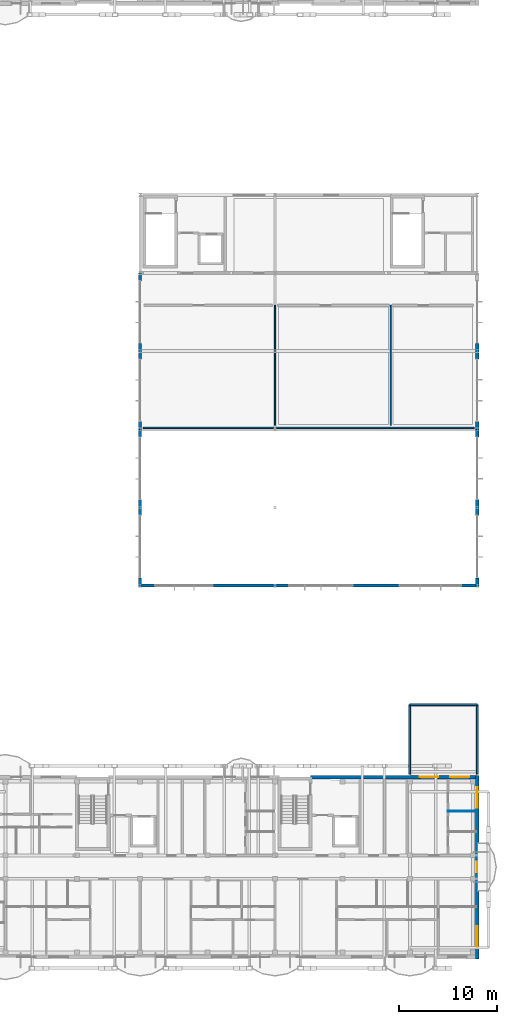
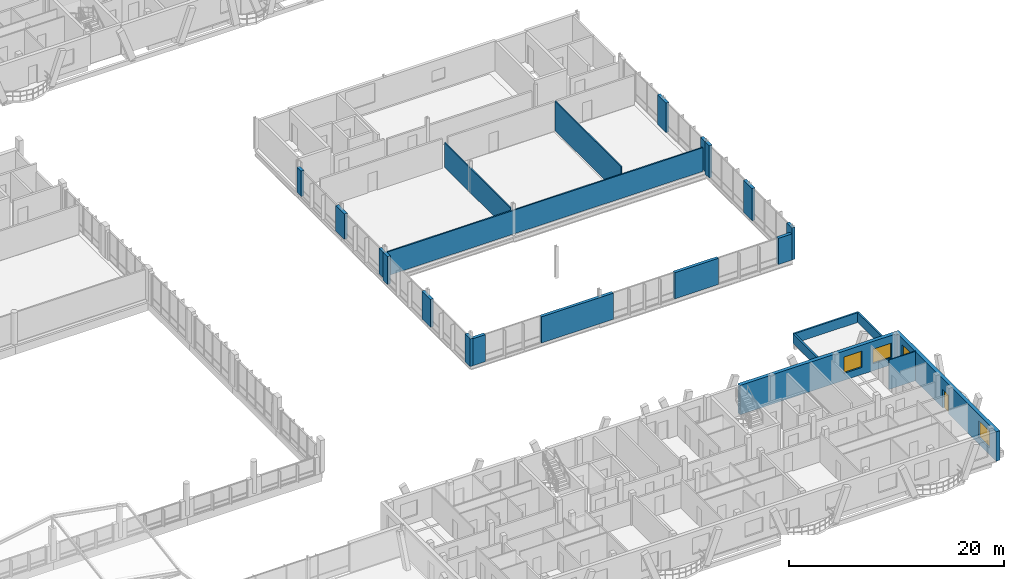
# One storey, part 162 of 189: 24 walls, 4 windows, 1 door, 5 openings.
"""IFC4 building model written with IfcOpenShell, lengths in metres."""

from ifc_helpers import new_model, si_unit, direction, frame, frame_2d, origin, origin_with_axes, place, context, subcontext, project, spatial, rectangle, extrude, material, layer, layer_set, type_object, element, fill, save


model = new_model("IFC4")

# Units and contexts
model_context = context("Model", 3, precision=1e-05, world=origin(), true_north=direction((0.0, 1.0)))
body_context = subcontext(model_context, "Body", "Model", "MODEL_VIEW")
ifc_project = project(units=[si_unit("LENGTHUNIT", "METRE"), si_unit("AREAUNIT", "SQUARE_METRE"), si_unit("VOLUMEUNIT", "CUBIC_METRE"), si_unit("PLANEANGLEUNIT", "RADIAN"), si_unit("MASSUNIT", "GRAM", prefix="KILO")], contexts=[model_context])

# Site, building, storey
site_placement = place(None, origin())
site = spatial("IfcSite", under=ifc_project, at=site_placement, CompositionType="ELEMENT")
building_placement = place(site_placement, origin())
building = spatial("IfcBuilding", under=site, at=building_placement, Name="Zavelmont Quarter", CompositionType="ELEMENT")
storey_placement = place(building_placement, frame((0.0, 0.0, 4.39990234375)))
storey = spatial("IfcBuildingStorey", under=building, at=storey_placement, Name="L01", CompositionType="ELEMENT", Elevation=4.39990234375)

# Wall, openings, windows
ifc_material_1 = material(Name="Natural Belgian limestone", Category="masonry")
ifc_layer_1 = layer(ifc_material_1, 0.3798828125)
ifc_layer_set_1 = layer_set([ifc_layer_1], Name="Natural Belgian limestone")
wall_type_1 = type_object("IfcWallType", Name="EW01", PredefinedType="STANDARD", material=ifc_layer_set_1)
wall_1_placement = place(storey_placement, frame((150.949951171875, 18.39990234375, 0.0), z_axis=(0.0, 0.0, 1.0), x_axis=(1.0, 0.0, 0.0)))
wall_1 = element("IfcWall", 1, at=wall_1_placement, inside=storey, type_object=wall_type_1, Name="L01 exterior limestone wall EW01", PredefinedType="STANDARD", context=body_context, shape_type="SweptSolid", body=[
    extrude(rectangle(XDim=16.8701171875, YDim=0.3798828125, at=frame_2d((8.43505859375, 0.0))), origin(), (0.0, 0.0, 1.0), 3.330078125),
])
opening_1_placement = place(wall_1_placement, frame((11.169921875, 0.0, 0.800048828125)))
opening_1 = element("IfcOpeningElement", 2, at=opening_1_placement, cuts=wall_1, Name="Opening WN20", PredefinedType="OPENING", context=body_context, shape_type="SweptSolid", body=[
    extrude(rectangle(XDim=1.89990234375, YDim=1.85009765625, at=frame_2d((0.949951171875, 0.925048828125))), frame((0.0, 0.201904296875, 0.0), z_axis=(0.0, -1.0, 0.0), x_axis=(1.0, 0.0, 0.0)), (0.0, 0.0, 1.0), 0.40380859375),
])
opening_2_placement = place(wall_1_placement, frame((14.284912109375, 0.0, 0.800048828125)))
opening_2 = element("IfcOpeningElement", 3, at=opening_2_placement, cuts=wall_1, Name="Opening WN24", PredefinedType="OPENING", context=body_context, shape_type="SweptSolid", body=[
    extrude(rectangle(XDim=1.949951171875, YDim=1.64990234375, at=frame_2d((0.97509765625, 0.824951171875))), frame((0.0, 0.201904296875, 0.0), z_axis=(0.0, -1.0, 0.0), x_axis=(1.0, 0.0, 0.0)), (0.0, 0.0, 1.0), 0.40380859375),
])
ifc_material_2 = material(Name="Double low-E insulated glazing in thermally broken aluminium frame", Category="aluminium")
window_type_1 = type_object("IfcWindowType", Name="WN20", PartitioningType="SINGLE_PANEL", PredefinedType="WINDOW", material=ifc_material_2)
window_1_placement = place(opening_1_placement, origin_with_axes())
window_1 = element("IfcWindow", 4, at=window_1_placement, inside=storey, type_object=window_type_1, Name="L01 window WN20", OverallHeight=1.85009765625, OverallWidth=1.89990234375, PartitioningType="SINGLE_PANEL", PredefinedType="WINDOW", context=body_context, shape_type="SweptSolid", body=[
    extrude(rectangle(XDim=1.89990234375, YDim=1.85009765625, at=frame_2d((0.949951171875, 0.925048828125))), frame((0.0, 0.030029296875, 0.0), z_axis=(0.0, -1.0, 0.0), x_axis=(1.0, 0.0, 0.0)), (0.0, 0.0, 1.0), 0.06005859375),
])
fill(opening_1, window_1)
window_type_2 = type_object("IfcWindowType", Name="WN24", PartitioningType="SINGLE_PANEL", PredefinedType="WINDOW", material=ifc_material_2)
window_2_placement = place(opening_2_placement, origin_with_axes())
window_2 = element("IfcWindow", 5, at=window_2_placement, inside=storey, type_object=window_type_2, Name="L01 window WN24", OverallHeight=1.64990234375, OverallWidth=1.949951171875, PartitioningType="SINGLE_PANEL", PredefinedType="WINDOW", context=body_context, shape_type="SweptSolid", body=[
    extrude(rectangle(XDim=1.949951171875, YDim=1.64990234375, at=frame_2d((0.97509765625, 0.824951171875))), frame((0.0, 0.030029296875, 0.0), z_axis=(0.0, -1.0, 0.0), x_axis=(1.0, 0.0, 0.0)), (0.0, 0.0, 1.0), 0.06005859375),
])
fill(opening_2, window_2)

# Wall, openings, door, windows
wall_2_placement = place(storey_placement, frame((168.0, -0.18994140625, 0.0), z_axis=(0.0, 0.0, 1.0), x_axis=(0.0, 1.0, 0.0)))
wall_2 = element("IfcWall", 6, at=wall_2_placement, inside=storey, type_object=wall_type_1, Name="L01 exterior limestone wall EW01", PredefinedType="STANDARD", context=body_context, shape_type="SweptSolid", body=[
    extrude(rectangle(XDim=18.780029296875, YDim=0.3798828125, at=frame_2d((9.39013671875, 0.0))), origin(), (0.0, 0.0, 1.0), 3.330078125),
])
opening_3_placement = place(wall_2_placement, frame((8.840087890625, 0.0, 0.0)))
opening_3 = element("IfcOpeningElement", 7, at=opening_3_placement, cuts=wall_2, Name="Opening DR04B", PredefinedType="OPENING", context=body_context, shape_type="SweptSolid", body=[
    extrude(rectangle(XDim=1.10009765625, YDim=2.10009765625, at=frame_2d((0.550048828125, 1.050048828125))), frame((0.0, 0.201904296875, 0.0), z_axis=(0.0, -1.0, 0.0), x_axis=(1.0, 0.0, 0.0)), (0.0, 0.0, 1.0), 0.40380859375),
])
opening_4_placement = place(wall_2_placement, frame((1.239990234375, 0.0, 0.719970703125)))
opening_4 = element("IfcOpeningElement", 8, at=opening_4_placement, cuts=wall_2, Name="Opening WN05", PredefinedType="OPENING", context=body_context, shape_type="SweptSolid", body=[
    extrude(rectangle(XDim=2.10009765625, YDim=1.89990234375, at=frame_2d((1.050048828125, 0.949951171875))), frame((0.0, 0.201904296875, 0.0), z_axis=(0.0, -1.0, 0.0), x_axis=(1.0, 0.0, 0.0)), (0.0, 0.0, 1.0), 0.40380859375),
])
opening_5_placement = place(wall_2_placement, frame((15.43994140625, 0.0, 0.719970703125)))
opening_5 = element("IfcOpeningElement", 9, at=opening_5_placement, cuts=wall_2, Name="Opening WN05", PredefinedType="OPENING", context=body_context, shape_type="SweptSolid", body=[
    extrude(rectangle(XDim=2.10009765625, YDim=1.89990234375, at=frame_2d((1.050048828125, 0.949951171875))), frame((0.0, 0.201904296875, 0.0), z_axis=(0.0, -1.0, 0.0), x_axis=(1.0, 0.0, 0.0)), (0.0, 0.0, 1.0), 0.40380859375),
])
ifc_material_3 = material(Name="Thermally broken aluminium and double safety glass", Category="aluminium")
door_type = type_object("IfcDoorType", Name="DR04B", OperationType="NOTDEFINED", PredefinedType="DOOR", material=ifc_material_3)
door_placement = place(opening_3_placement, origin_with_axes())
door = element("IfcDoor", 10, at=door_placement, inside=storey, type_object=door_type, Name="Block D L01 terrace or vase balcony door", OperationType="SINGLE_SWING_RIGHT", OverallHeight=2.10009765625, OverallWidth=1.10009765625, PredefinedType="DOOR", context=body_context, shape_type="SweptSolid", body=[
    extrude(rectangle(XDim=1.10009765625, YDim=2.10009765625, at=frame_2d((0.550048828125, 1.050048828125))), frame((0.0, 0.02490234375, 0.0), z_axis=(0.0, -1.0, 0.0), x_axis=(1.0, 0.0, 0.0)), (0.0, 0.0, 1.0), 0.050048828125),
])
fill(opening_3, door)
window_type_3 = type_object("IfcWindowType", Name="WN05", PartitioningType="SINGLE_PANEL", PredefinedType="WINDOW", material=ifc_material_2)
window_3_placement = place(opening_4_placement, origin_with_axes())
window_3 = element("IfcWindow", 11, at=window_3_placement, inside=storey, type_object=window_type_3, Name="L01 window WN05", OverallHeight=1.89990234375, OverallWidth=2.10009765625, PartitioningType="SINGLE_PANEL", PredefinedType="WINDOW", context=body_context, shape_type="SweptSolid", body=[
    extrude(rectangle(XDim=2.10009765625, YDim=1.89990234375, at=frame_2d((1.050048828125, 0.949951171875))), frame((0.0, 0.030029296875, 0.0), z_axis=(0.0, -1.0, 0.0), x_axis=(1.0, 0.0, 0.0)), (0.0, 0.0, 1.0), 0.06005859375),
])
fill(opening_4, window_3)
window_4_placement = place(opening_5_placement, origin_with_axes())
window_4 = element("IfcWindow", 12, at=window_4_placement, inside=storey, type_object=window_type_3, Name="L01 window WN05", OverallHeight=1.89990234375, OverallWidth=2.10009765625, PartitioningType="SINGLE_PANEL", PredefinedType="WINDOW", context=body_context, shape_type="SweptSolid", body=[
    extrude(rectangle(XDim=2.10009765625, YDim=1.89990234375, at=frame_2d((1.050048828125, 0.949951171875))), frame((0.0, 0.030029296875, 0.0), z_axis=(0.0, -1.0, 0.0), x_axis=(1.0, 0.0, 0.0)), (0.0, 0.0, 1.0), 0.06005859375),
])
fill(opening_5, window_4)

# Walls
ifc_layer_2 = layer(ifc_material_1, 0.320068359375)
ifc_layer_set_2 = layer_set([ifc_layer_2], Name="Natural Belgian limestone")
wall_type_2 = type_object("IfcWallType", Name="EW05", PredefinedType="STANDARD", material=ifc_layer_set_2)
wall_3_placement = place(storey_placement, frame((133.5, 37.840087890625, -0.27978515625), z_axis=(0.0, 0.0, 1.0), x_axis=(0.0, 1.0, 0.0)))
element("IfcWall", 13, at=wall_3_placement, inside=storey, type_object=wall_type_2, Name="L01 exterior limestone wall EW05", PredefinedType="STANDARD", context=body_context, shape_type="SweptSolid", body=[
    extrude(rectangle(XDim=0.9599609375, YDim=0.320068359375, at=frame_2d((0.47998046875, 0.0))), origin(), (0.0, 0.0, 1.0), 3.14990234375),
])
wall_4_placement = place(storey_placement, frame((133.5, 45.199951171875, -0.27978515625), z_axis=(0.0, 0.0, 1.0), x_axis=(0.0, 1.0, 0.0)))
element("IfcWall", 14, at=wall_4_placement, inside=storey, type_object=wall_type_2, Name="L01 exterior limestone wall EW05", PredefinedType="STANDARD", context=body_context, shape_type="SweptSolid", body=[
    extrude(rectangle(XDim=1.60009765625, YDim=0.320068359375, at=frame_2d((0.800048828125, 0.0))), origin(), (0.0, 0.0, 1.0), 3.14990234375),
])
wall_5_placement = place(storey_placement, frame((133.5, 53.199951171875, -0.27978515625), z_axis=(0.0, 0.0, 1.0), x_axis=(0.0, 1.0, 0.0)))
element("IfcWall", 15, at=wall_5_placement, inside=storey, type_object=wall_type_2, Name="L01 exterior limestone wall EW05", PredefinedType="STANDARD", context=body_context, shape_type="SweptSolid", body=[
    extrude(rectangle(XDim=0.800048828125, YDim=0.320068359375, at=frame_2d((0.39990234375, 0.0))), origin(), (0.0, 0.0, 1.0), 3.14990234375),
])
wall_6_placement = place(storey_placement, frame((133.5, 54.0, 0.0), z_axis=(0.0, 0.0, 1.0), x_axis=(0.0, 1.0, 0.0)))
element("IfcWall", 16, at=wall_6_placement, inside=storey, type_object=wall_type_2, Name="L01 exterior limestone wall EW05", PredefinedType="STANDARD", context=body_context, shape_type="SweptSolid", body=[
    extrude(rectangle(XDim=0.800048828125, YDim=0.320068359375, at=frame_2d((0.39990234375, 0.0))), origin(), (0.0, 0.0, 1.0), 2.8701171875),
])
wall_7_placement = place(storey_placement, frame((133.5, 61.199951171875, 0.0), z_axis=(0.0, 0.0, 1.0), x_axis=(0.0, 1.0, 0.0)))
element("IfcWall", 17, at=wall_7_placement, inside=storey, type_object=wall_type_2, Name="L01 exterior limestone wall EW05", PredefinedType="STANDARD", context=body_context, shape_type="SweptSolid", body=[
    extrude(rectangle(XDim=1.60009765625, YDim=0.320068359375, at=frame_2d((0.800048828125, 0.0))), origin(), (0.0, 0.0, 1.0), 2.8701171875),
])
wall_8_placement = place(storey_placement, frame((133.5, 69.199951171875, 0.0), z_axis=(0.0, 0.0, 1.0), x_axis=(0.0, 1.0, 0.0)))
element("IfcWall", 18, at=wall_8_placement, inside=storey, type_object=wall_type_2, Name="L01 exterior limestone wall EW05", PredefinedType="STANDARD", context=body_context, shape_type="SweptSolid", body=[
    extrude(rectangle(XDim=0.800048828125, YDim=0.320068359375, at=frame_2d((0.39990234375, 0.0))), origin(), (0.0, 0.0, 1.0), 2.8701171875),
])
wall_9_placement = place(storey_placement, frame((168.0, 37.840087890625, -0.27978515625), z_axis=(0.0, 0.0, 1.0), x_axis=(0.0, 1.0, 0.0)))
element("IfcWall", 19, at=wall_9_placement, inside=storey, type_object=wall_type_2, Name="L01 exterior limestone wall EW05", PredefinedType="STANDARD", context=body_context, shape_type="SweptSolid", body=[
    extrude(rectangle(XDim=0.9599609375, YDim=0.320068359375, at=frame_2d((0.47998046875, 0.0))), origin(), (0.0, 0.0, 1.0), 3.64990234375),
])
wall_10_placement = place(storey_placement, frame((168.0, 45.199951171875, -0.27978515625), z_axis=(0.0, 0.0, 1.0), x_axis=(0.0, 1.0, 0.0)))
element("IfcWall", 20, at=wall_10_placement, inside=storey, type_object=wall_type_2, Name="L01 exterior limestone wall EW05", PredefinedType="STANDARD", context=body_context, shape_type="SweptSolid", body=[
    extrude(rectangle(XDim=1.60009765625, YDim=0.320068359375, at=frame_2d((0.800048828125, 0.0))), origin(), (0.0, 0.0, 1.0), 3.64990234375),
])
wall_11_placement = place(storey_placement, frame((168.0, 53.199951171875, -0.27978515625), z_axis=(0.0, 0.0, 1.0), x_axis=(0.0, 1.0, 0.0)))
element("IfcWall", 21, at=wall_11_placement, inside=storey, type_object=wall_type_2, Name="L01 exterior limestone wall EW05", PredefinedType="STANDARD", context=body_context, shape_type="SweptSolid", body=[
    extrude(rectangle(XDim=0.800048828125, YDim=0.320068359375, at=frame_2d((0.39990234375, 0.0))), origin(), (0.0, 0.0, 1.0), 3.64990234375),
])
wall_12_placement = place(storey_placement, frame((168.0, 54.0, 0.0), z_axis=(0.0, 0.0, 1.0), x_axis=(0.0, 1.0, 0.0)))
element("IfcWall", 22, at=wall_12_placement, inside=storey, type_object=wall_type_2, Name="L01 exterior limestone wall EW05", PredefinedType="STANDARD", context=body_context, shape_type="SweptSolid", body=[
    extrude(rectangle(XDim=0.800048828125, YDim=0.320068359375, at=frame_2d((0.39990234375, 0.0))), origin(), (0.0, 0.0, 1.0), 3.3701171875),
])
wall_13_placement = place(storey_placement, frame((168.0, 61.199951171875, 0.0), z_axis=(0.0, 0.0, 1.0), x_axis=(0.0, 1.0, 0.0)))
element("IfcWall", 23, at=wall_13_placement, inside=storey, type_object=wall_type_2, Name="L01 exterior limestone wall EW05", PredefinedType="STANDARD", context=body_context, shape_type="SweptSolid", body=[
    extrude(rectangle(XDim=1.60009765625, YDim=0.320068359375, at=frame_2d((0.800048828125, 0.0))), origin(), (0.0, 0.0, 1.0), 3.3701171875),
])
wall_14_placement = place(storey_placement, frame((133.64990234375, 38.0, -0.27978515625), z_axis=(0.0, 0.0, 1.0), x_axis=(1.0, 0.0, 0.0)))
element("IfcWall", 24, at=wall_14_placement, inside=storey, type_object=wall_type_2, Name="L01 exterior limestone wall EW05", PredefinedType="STANDARD", context=body_context, shape_type="SweptSolid", body=[
    extrude(rectangle(XDim=1.35009765625, YDim=0.320068359375, at=frame_2d((0.675048828125, 0.0))), origin(), (0.0, 0.0, 1.0), 3.06982421875),
])
wall_15_placement = place(storey_placement, frame((141.0, 38.0, -0.27978515625), z_axis=(0.0, 0.0, 1.0), x_axis=(1.0, 0.0, 0.0)))
element("IfcWall", 25, at=wall_15_placement, inside=storey, type_object=wall_type_2, Name="L01 exterior limestone wall EW05", PredefinedType="STANDARD", context=body_context, shape_type="SweptSolid", body=[
    extrude(rectangle(XDim=7.699951171875, YDim=0.320068359375, at=frame_2d((3.85009765625, 0.0))), origin(), (0.0, 0.0, 1.0), 2.969970703125),
])
wall_16_placement = place(storey_placement, frame((155.300048828125, 38.0, -0.27978515625), z_axis=(0.0, 0.0, 1.0), x_axis=(1.0, 0.0, 0.0)))
element("IfcWall", 26, at=wall_16_placement, inside=storey, type_object=wall_type_2, Name="L01 exterior limestone wall EW05", PredefinedType="STANDARD", context=body_context, shape_type="SweptSolid", body=[
    extrude(rectangle(XDim=4.699951171875, YDim=0.320068359375, at=frame_2d((2.35009765625, 0.0))), origin(), (0.0, 0.0, 1.0), 2.969970703125),
])
wall_17_placement = place(storey_placement, frame((166.39990234375, 38.0, -0.27978515625), z_axis=(0.0, 0.0, 1.0), x_axis=(1.0, 0.0, 0.0)))
element("IfcWall", 27, at=wall_17_placement, inside=storey, type_object=wall_type_2, Name="L01 exterior limestone wall EW05", PredefinedType="STANDARD", context=body_context, shape_type="SweptSolid", body=[
    extrude(rectangle(XDim=1.4501953125, YDim=0.320068359375, at=frame_2d((0.72509765625, 0.0))), origin(), (0.0, 0.0, 1.0), 2.969970703125),
])
ifc_material_4 = material(Name="Double gypsum board on acoustic steel stud", Category="steel")
ifc_layer_3 = layer(ifc_material_4, 0.125)
ifc_layer_set_3 = layer_set([ifc_layer_3], Name="Double gypsum board on acoustic steel stud")
wall_type_3 = type_object("IfcWallType", Name="IW03", PredefinedType="PARTITIONING", material=ifc_layer_set_3)
wall_18_placement = place(storey_placement, frame((147.300048828125, 54.39990234375, 0.0), z_axis=(0.0, 0.0, 1.0), x_axis=(0.0, 1.0, 0.0)))
element("IfcWall", 28, at=wall_18_placement, inside=storey, type_object=wall_type_3, Name="L01 Interior partition IW03", PredefinedType="PARTITIONING", context=body_context, shape_type="SweptSolid", body=[
    extrude(rectangle(XDim=12.300048828125, YDim=0.125, at=frame_2d((6.14990234375, 0.0))), origin(), (0.0, 0.0, 1.0), 2.780029296875),
])
wall_19_placement = place(storey_placement, frame((159.14990234375, 54.39990234375, 0.0), z_axis=(0.0, 0.0, 1.0), x_axis=(0.0, 1.0, 0.0)))
element("IfcWall", 29, at=wall_19_placement, inside=storey, type_object=wall_type_3, Name="L01 Interior partition IW03", PredefinedType="PARTITIONING", context=body_context, shape_type="SweptSolid", body=[
    extrude(rectangle(XDim=12.300048828125, YDim=0.125, at=frame_2d((6.14990234375, 0.0))), origin(), (0.0, 0.0, 1.0), 3.330078125),
])
ifc_material_5 = material(Name="Moisture-resistant gypsum board on steel stud", Category="steel")
ifc_layer_4 = layer(ifc_material_5, 0.10009765625)
ifc_layer_set_4 = layer_set([ifc_layer_4], Name="Moisture-resistant gypsum board on steel stud")
wall_type_4 = type_object("IfcWallType", Name="IW04", PredefinedType="PARTITIONING", material=ifc_layer_set_4)
wall_20_placement = place(storey_placement, frame((165.0, 14.89990234375, 0.0), z_axis=(0.0, 0.0, 1.0), x_axis=(1.0, 0.0, 0.0)))
element("IfcWall", 30, at=wall_20_placement, inside=storey, type_object=wall_type_4, Name="L01 Partition IW04", PredefinedType="PARTITIONING", context=body_context, shape_type="SweptSolid", body=[
    extrude(rectangle(XDim=2.89990234375, YDim=0.10009765625, at=frame_2d((1.449951171875, 0.0))), origin(), (0.0, 0.0, 1.0), 3.330078125),
])
ifc_material_6 = material(Name="Acoustic glazed studio screen partition")
ifc_layer_5 = layer(ifc_material_6, 0.14990234375)
ifc_layer_set_5 = layer_set([ifc_layer_5], Name="Acoustic glazed studio screen partition")
wall_type_5 = type_object("IfcWallType", Name="IW05", PredefinedType="PARTITIONING", material=ifc_layer_set_5)
wall_21_placement = place(storey_placement, frame((133.800048828125, 54.14990234375, 0.0), z_axis=(0.0, 0.0, 1.0), x_axis=(1.0, 0.0, 0.0)))
element("IfcWall", 31, at=wall_21_placement, inside=storey, type_object=wall_type_5, Name="L01 Nursery mezzanine acoustic overlook wall IW05", PredefinedType="PARTITIONING", context=body_context, shape_type="SweptSolid", body=[
    extrude(rectangle(XDim=33.89990234375, YDim=0.14990234375, at=frame_2d((16.949951171875, 0.0))), origin(), (0.0, 0.0, 1.0), 2.690185546875),
])
ifc_layer_6 = layer(ifc_material_1, 0.18994140625)
ifc_layer_set_6 = layer_set([ifc_layer_6], Name="Natural Belgian limestone")
wall_type_6 = type_object("IfcWallType", Name="PW03", PredefinedType="PARAPET", material=ifc_layer_set_6)
wall_22_placement = place(storey_placement, frame((168.0, 18.699951171875, 0.0), z_axis=(0.0, 0.0, 1.0), x_axis=(0.0, 1.0, 0.0)))
element("IfcWall", 32, at=wall_22_placement, inside=storey, type_object=wall_type_6, Name="Vehicle ramp portal roof parapet", PredefinedType="PARAPET", context=body_context, shape_type="SweptSolid", body=[
    extrude(rectangle(XDim=7.10009765625, YDim=0.18994140625, at=frame_2d((3.550048828125, 0.0))), origin(), (0.0, 0.0, 1.0), 1.10009765625),
])
wall_23_placement = place(storey_placement, frame((168.0, 25.800048828125, 0.0), z_axis=(0.0, 0.0, 1.0), x_axis=(-1.0, 0.0, 0.0)))
element("IfcWall", 33, at=wall_23_placement, inside=storey, type_object=wall_type_6, Name="Vehicle ramp portal roof parapet", PredefinedType="PARAPET", context=body_context, shape_type="SweptSolid", body=[
    extrude(rectangle(XDim=6.89990234375, YDim=0.18994140625, at=frame_2d((3.449951171875, 0.0))), origin(), (0.0, 0.0, 1.0), 1.10009765625),
])
wall_24_placement = place(storey_placement, frame((161.10009765625, 25.800048828125, 0.0), z_axis=(0.0, 0.0, 1.0), x_axis=(0.0, -1.0, 0.0)))
element("IfcWall", 34, at=wall_24_placement, inside=storey, type_object=wall_type_6, Name="Vehicle ramp portal roof parapet", PredefinedType="PARAPET", context=body_context, shape_type="SweptSolid", body=[
    extrude(rectangle(XDim=7.10009765625, YDim=0.18994140625, at=frame_2d((3.550048828125, 0.0))), origin(), (0.0, 0.0, 1.0), 1.10009765625),
])

save(model, "model.ifc")
